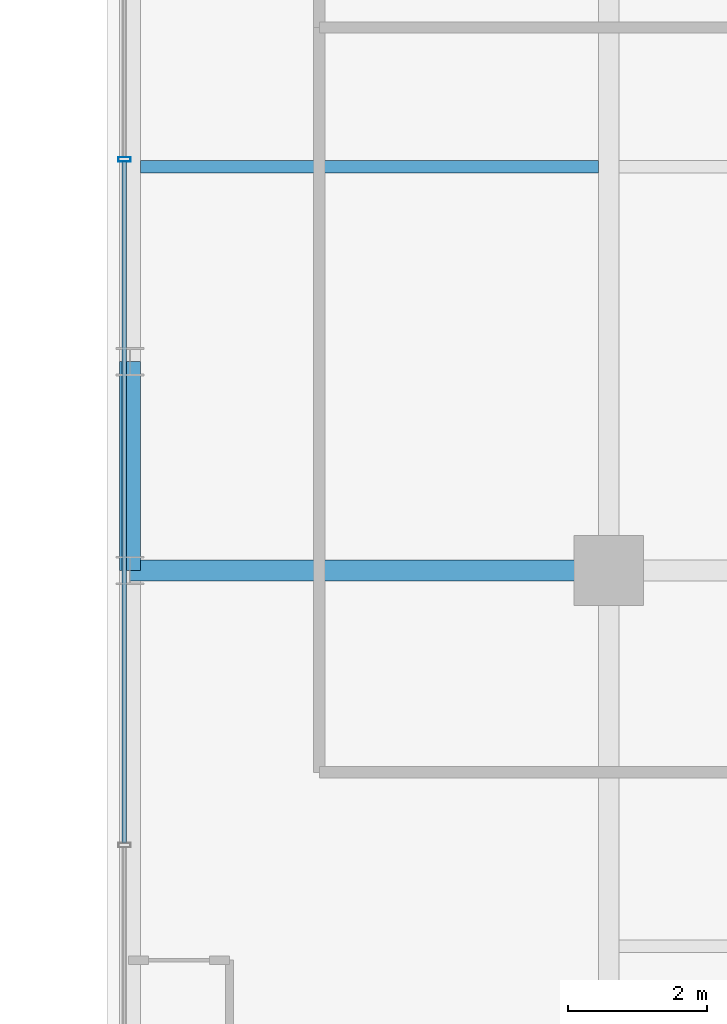
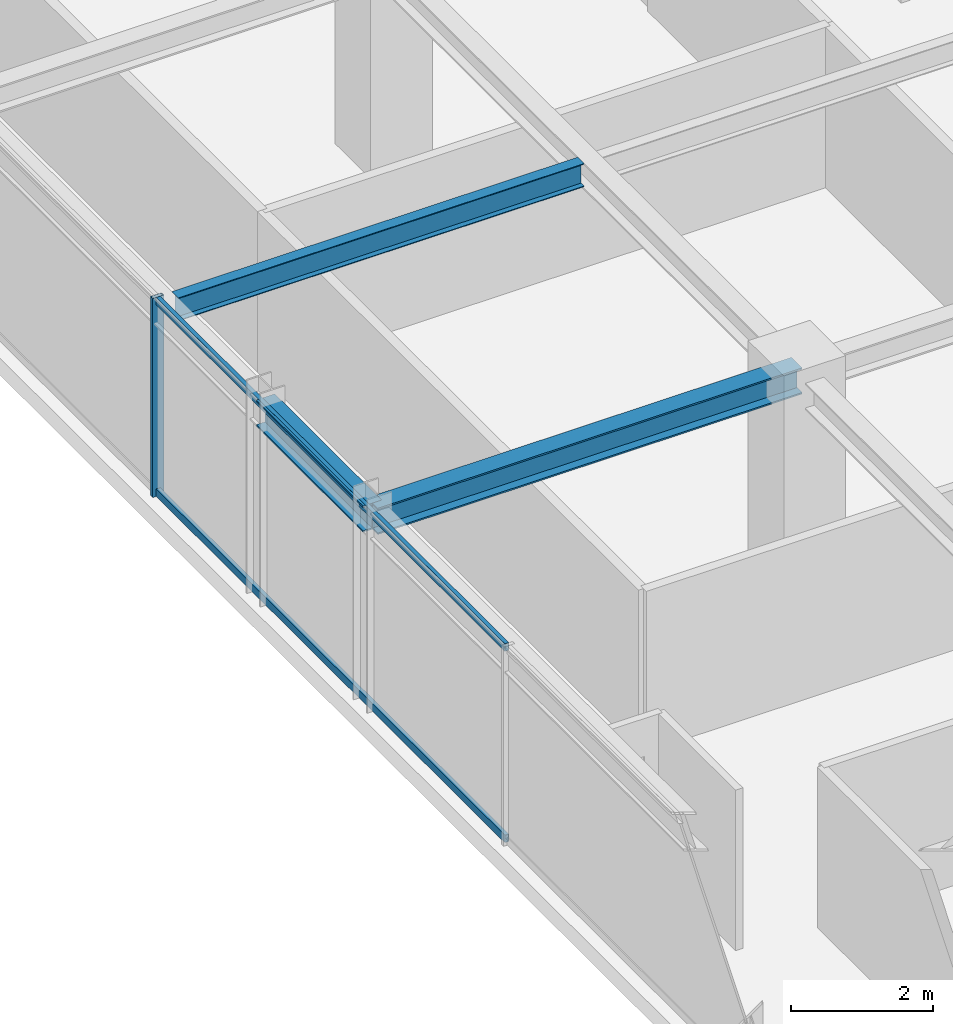
# One storey, part 18 of 35: 3 beams, 3 members, 1 element without a shape of its own.
"""IFC4 building model written with IfcOpenShell, lengths in metres."""

from ifc_helpers import new_model, si_unit, direction, frame, origin, origin_2d, place, context, subcontext, project, spatial, hollow_rectangle, i_section, extrude, source, transform, mapped, material, material_profile, profile_set, type_object, element, aggregate, save


model = new_model("IFC4")

# Units and contexts
model_context = context("Model", 3, precision=1e-05, world=origin(), true_north=direction((0.0, 1.0)))
body_context = subcontext(model_context, "Body", "Model", "MODEL_VIEW")
ifc_project = project(units=[si_unit("LENGTHUNIT", "METRE"), si_unit("AREAUNIT", "SQUARE_METRE"), si_unit("VOLUMEUNIT", "CUBIC_METRE"), si_unit("PLANEANGLEUNIT", "RADIAN"), si_unit("MASSUNIT", "GRAM", prefix="KILO")], contexts=[model_context])

# Site, building, storey
site_placement = place(None, origin())
site = spatial("IfcSite", under=ifc_project, at=site_placement, CompositionType="ELEMENT")
building_placement = place(site_placement, origin())
building = spatial("IfcBuilding", under=site, at=building_placement, Name="Nahalor Promenade Grand Hotel", CompositionType="ELEMENT")
storey_placement = place(building_placement, frame((0.0, 0.0, 245.60009765625)))
storey = spatial("IfcBuildingStorey", under=building, at=storey_placement, Name="L63", CompositionType="ELEMENT", Elevation=245.60009765625)

# Beams
ifc_material_1 = material(Name="Steel S355JR", Category="steel")
ifc_material_profile_1 = material_profile(ifc_material_1, i_section(OverallWidth=0.3, OverallDepth=0.45, WebThickness=0.014, FlangeThickness=0.026, at=origin_2d()), Name="HEB 450")
ifc_profile_set_1 = profile_set([ifc_material_profile_1], Name="Steel S355JR")
beam_type_1 = type_object("IfcBeamType", Name="Beam-Spandrel-HEB450", PredefinedType="SPANDREL", material=ifc_profile_set_1)
shared_shape_1 = source(origin(), body_context, "Body", "SweptSolid", [
    extrude(i_section(OverallWidth=0.3, OverallDepth=0.45, WebThickness=0.014, FlangeThickness=0.026, at=origin_2d()), origin(), (0.0, 0.0, 1.0), 3.0),
])
beam_1_placement = place(storey_placement, frame((-23.8798828125, 5.39990234375, 3.184814453125), z_axis=(0.0, 1.0, 0.0), x_axis=(-1.0, 0.0, 0.0)))
element("IfcBeam", 1, at=beam_1_placement, inside=storey, type_object=beam_type_1, Name="BM-L63-SP-W-3", PredefinedType="SPANDREL", context=body_context, shape_type="MappedRepresentation", body=[
    mapped(shared_shape_1, transform((0.0, 0.0, 0.0), scale=1.0)),
])
ifc_material_profile_2 = material_profile(ifc_material_1, i_section(OverallWidth=0.3, OverallDepth=0.45, WebThickness=0.014, FlangeThickness=0.026, at=origin_2d()), Name="HEB 450")
ifc_profile_set_2 = profile_set([ifc_material_profile_2], Name="Steel S355JR")
beam_type_2 = type_object("IfcBeamType", Name="Beam-Girder-HEB450", PredefinedType="BEAM", material=ifc_profile_set_2)
shared_shape_2 = source(origin(), body_context, "Body", "SweptSolid", [
    extrude(i_section(OverallWidth=0.3, OverallDepth=0.45, WebThickness=0.014, FlangeThickness=0.026, at=origin_2d()), origin(), (0.0, 0.0, 1.0), 6.8798828125),
])
beam_2_placement = place(storey_placement, frame((-23.8798828125, 5.39990234375, 3.184814453125), z_axis=(1.0, 0.0, 0.0), x_axis=(0.0, 1.0, 0.0)))
element("IfcBeam", 2, at=beam_2_placement, inside=storey, type_object=beam_type_2, Name="BM-L63-GX-2-0", PredefinedType="BEAM", context=body_context, shape_type="MappedRepresentation", body=[
    mapped(shared_shape_2, transform((0.0, 0.0, 0.0), scale=1.0)),
])
ifc_material_profile_3 = material_profile(ifc_material_1, i_section(OverallWidth=0.18, OverallDepth=0.4, WebThickness=0.0086, FlangeThickness=0.0135, at=origin_2d()), Name="IPE 400")
ifc_profile_set_3 = profile_set([ifc_material_profile_3], Name="Steel S355JR")
beam_type_3 = type_object("IfcBeamType", Name="Beam-Joist-IPE400", PredefinedType="JOIST", material=ifc_profile_set_3)
shared_shape_3 = source(origin(), body_context, "Body", "SweptSolid", [
    extrude(i_section(OverallWidth=0.18, OverallDepth=0.4, WebThickness=0.0086, FlangeThickness=0.0135, at=origin_2d()), origin(), (0.0, 0.0, 1.0), 6.580078125),
])
beam_3_placement = place(storey_placement, frame((-23.72998046875, 11.199951171875, 3.2099609375), z_axis=(1.0, 0.0, 0.0), x_axis=(0.0, 1.0, 0.0)))
element("IfcBeam", 3, at=beam_3_placement, inside=storey, type_object=beam_type_3, Name="BM-L63-JSW-1-0", PredefinedType="JOIST", context=body_context, shape_type="MappedRepresentation", body=[
    mapped(shared_shape_3, transform((0.0, 0.0, 0.0), scale=1.0)),
])

# Curtain wall, members
ifc_material_2 = material(Name="Anodised Bronze Aluminium EN AW-6063 T6", Category="aluminium")
curtain_wall_type = type_object("IfcCurtainWallType", Name="CW2 Typical Hotel Flush Bronze Unitised Curtain Wall", PredefinedType="USERDEFINED", material=ifc_material_2)
curtain_wall_placement = place(storey_placement, origin())
curtain_wall = element("IfcCurtainWall", 4, at=curtain_wall_placement, inside=storey, type_object=curtain_wall_type, Name="L63 Curtain Wall CW-L63-W-3", ObjectType="UNITISED_CURTAIN_WALL", PredefinedType="USERDEFINED")
ifc_material_profile_4 = material_profile(ifc_material_2, hollow_rectangle(XDim=0.065, YDim=0.13, WallThickness=0.004, at=origin_2d()), Name="CWT 65x130x4")
ifc_profile_set_4 = profile_set([ifc_material_profile_4], Name="Anodised Bronze Aluminium EN AW-6063 T6")
member_type_1 = type_object("IfcMemberType", Name="CWT2 Typical Bronze Transom 65x130", PredefinedType="USERDEFINED", material=ifc_profile_set_4)
shared_shape_4 = source(origin(), body_context, "Body", "SweptSolid", [
    extrude(hollow_rectangle(XDim=0.065, YDim=0.13, WallThickness=0.004, at=origin_2d()), origin(), (0.0, 0.0, 1.0), 9.788330078125),
])
member_1_placement = place(storey_placement, frame((-23.9599609375, 1.48583984375, 0.06494140625), z_axis=(0.0, 1.0, 0.0), x_axis=(-1.0, 0.0, 0.0)))
member_1 = element("IfcMember", 5, at=member_1_placement, type_object=member_type_1, Name="CW-L63-W-3 Transom 1-0", ObjectType="TRANSOM", PredefinedType="USERDEFINED", context=body_context, shape_type="MappedRepresentation", body=[
    mapped(shared_shape_4, transform((0.0, 0.0, 0.0), scale=1.0)),
])
member_2_placement = place(storey_placement, frame((-23.9599609375, 1.48583984375, 3.344970703125), z_axis=(0.0, 1.0, 0.0), x_axis=(-1.0, 0.0, 0.0)))
member_2 = element("IfcMember", 6, at=member_2_placement, type_object=member_type_1, Name="CW-L63-W-3 Transom 1-1", ObjectType="TRANSOM", PredefinedType="USERDEFINED", context=body_context, shape_type="MappedRepresentation", body=[
    mapped(shared_shape_4, transform((0.0, 0.0, 0.0), scale=1.0)),
])
ifc_material_profile_5 = material_profile(ifc_material_2, hollow_rectangle(XDim=0.065, YDim=0.18, WallThickness=0.004, at=origin_2d()), Name="CWM 65x180x4")
ifc_profile_set_5 = profile_set([ifc_material_profile_5], Name="Anodised Bronze Aluminium EN AW-6063 T6")
member_type_2 = type_object("IfcMemberType", Name="CWM2 Typical Bronze Mullion 65x180", PredefinedType="MULLION", material=ifc_profile_set_5)
shared_shape_5 = source(origin(), body_context, "Body", "SweptSolid", [
    extrude(hollow_rectangle(XDim=0.065, YDim=0.18, WallThickness=0.004, at=origin_2d()), origin(), (0.0, 0.0, 1.0), 3.409912109375),
])
member_3_placement = place(storey_placement, frame((-23.9599609375, 11.306640625, 0.0), z_axis=(0.0, 0.0, 1.0), x_axis=(0.0, 1.0, 0.0)))
member_3 = element("IfcMember", 7, at=member_3_placement, type_object=member_type_2, Name="CW-L63-W-3 Mullion 2", PredefinedType="MULLION", context=body_context, shape_type="MappedRepresentation", body=[
    mapped(shared_shape_5, transform((0.0, 0.0, 0.0), scale=1.0)),
])
aggregate(curtain_wall, [member_3, member_1, member_2])

save(model, "model.ifc")
